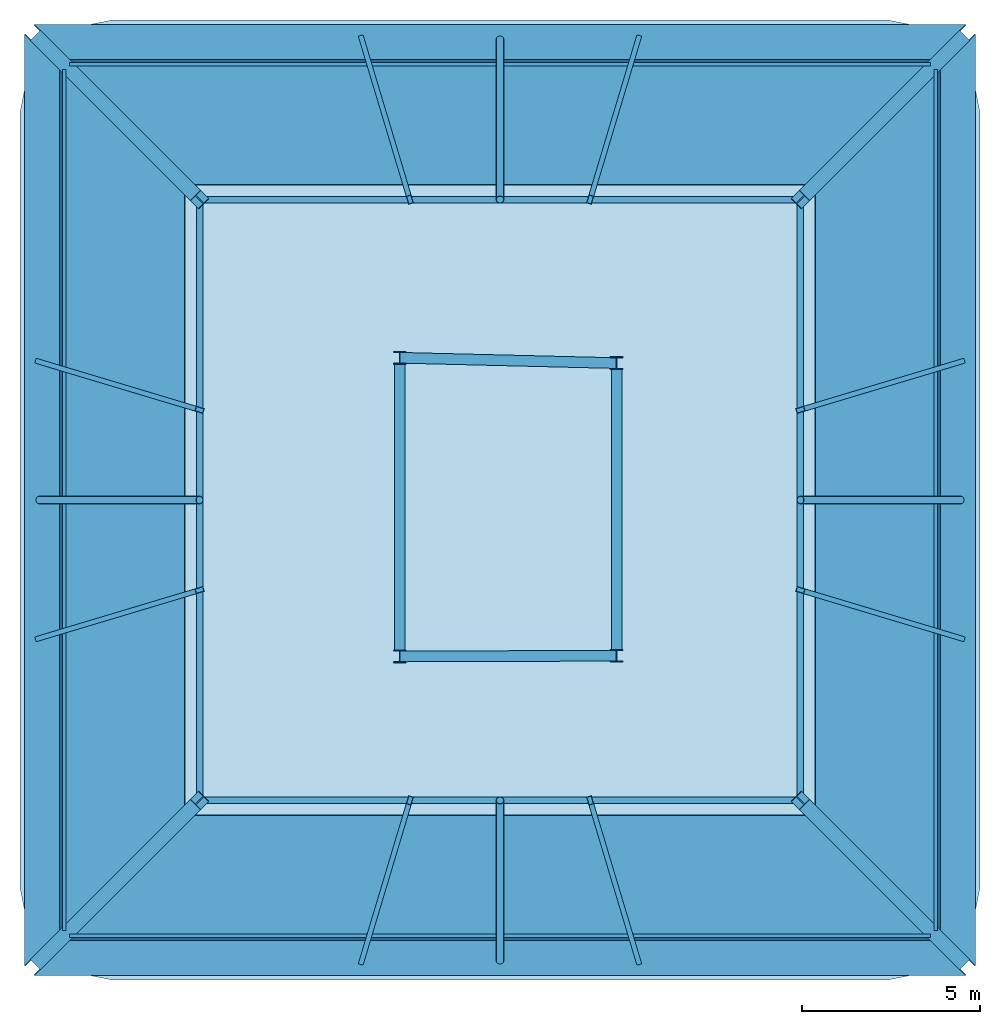
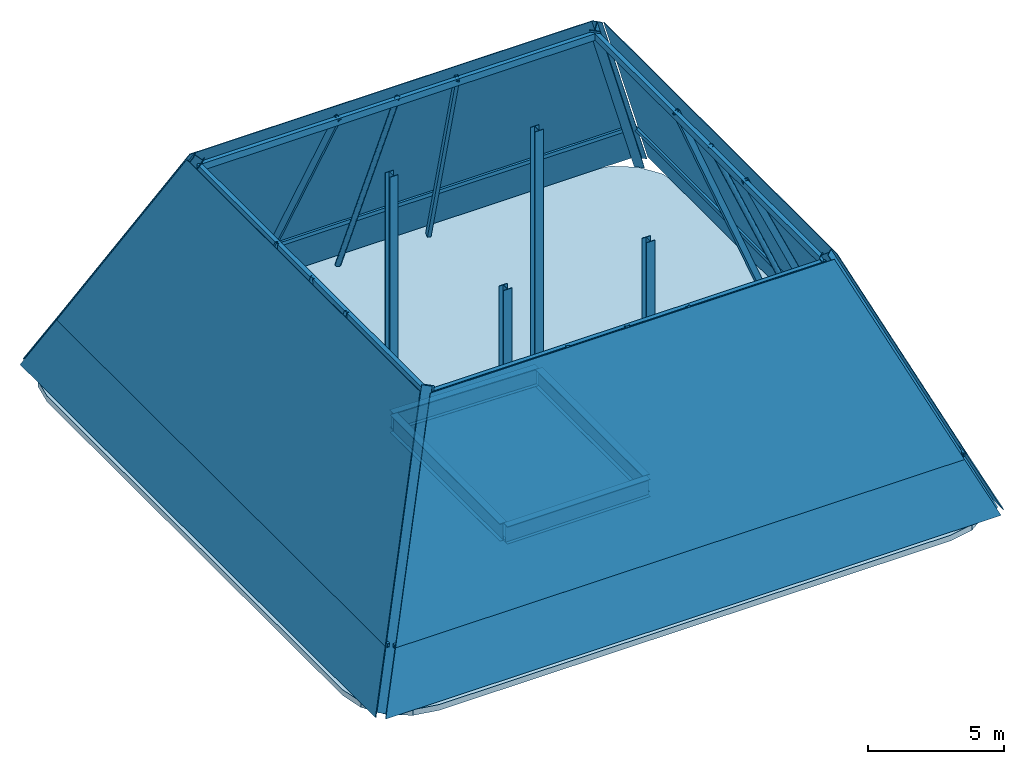
# One storey: 20 members, 8 beams, 8 plates, 4 columns, 1 slab, 4 elements without a shape of their own.
"""IFC4 building model written with IfcOpenShell, lengths in metres."""

from ifc_helpers import new_model, si_unit, direction, frame, origin, origin_2d, place, context, subcontext, project, spatial, polyline, hollow_rectangle, hollow_circle, i_section, outline, extrude, material, layer, layer_set, material_profile, profile_set, type_object, element, aggregate, save


model = new_model("IFC4")

# Units and contexts
model_context = context("Model", 3, precision=1e-05, world=origin(), true_north=direction((0.0, 1.0)))
body_context = subcontext(model_context, "Body", "Model", "MODEL_VIEW")
ifc_project = project(units=[si_unit("LENGTHUNIT", "METRE"), si_unit("AREAUNIT", "SQUARE_METRE"), si_unit("VOLUMEUNIT", "CUBIC_METRE"), si_unit("PLANEANGLEUNIT", "RADIAN"), si_unit("MASSUNIT", "GRAM", prefix="KILO")], contexts=[model_context])

# Site, building, storey
site_placement = place(None, origin())
site = spatial("IfcSite", under=ifc_project, at=site_placement, CompositionType="ELEMENT")
building_placement = place(site_placement, origin())
building = spatial("IfcBuilding", under=site, at=building_placement, Name="Khorvyn Point Tower", CompositionType="ELEMENT")
storey_placement = place(building_placement, frame((0.0, 0.0, 323.64990234375)))
storey = spatial("IfcBuildingStorey", under=building, at=storey_placement, Name="L78", CompositionType="ELEMENT", Elevation=323.64990234375)

# Columns
ifc_material_1 = material(Name="Steel S355", Category="steel")
ifc_material_profile_1 = material_profile(ifc_material_1, i_section(OverallWidth=0.35009765625, OverallDepth=0.35009765625, WebThickness=0.011962890625, FlangeThickness=0.01904296875, at=origin_2d()))
ifc_profile_set_1 = profile_set([ifc_material_profile_1], Name="Steel S355 H350x350x12x19")
column_type = type_object("IfcColumnType", Name="Steel S355 Structural Column H350x350x12x19", PredefinedType="COLUMN", material=ifc_profile_set_1)
for number, where, z_axis, x_axis, name in (
    (1, (-4.52001953125, -4.199951171875, 0.0), (0.0, 0.0, 1.0), (1.0, 0.0, 0.0), "L78 Crown Core Spine Column 1"),
    (2, (1.580078125, -4.179931640625, 0.0), (0.0, 0.0, 1.0), (1.0, 0.0, 0.0), "L78 Crown Core Spine Column 2"),
    (3, (1.580078125, 4.050048828125, 0.0), (0.0, 0.0, 1.0), (1.0, 0.0, 0.0), "L78 Crown Core Spine Column 3"),
    (4, (-4.52001953125, 4.199951171875, 0.0), (0.0, 0.0, 1.0), (1.0, 0.0, 0.0), "L78 Crown Core Spine Column 4"),
):
    element("IfcColumn", number, at=place(storey_placement, frame(where, z_axis=z_axis, x_axis=x_axis)), inside=storey, type_object=column_type, Name=name, PredefinedType="COLUMN", context=body_context, shape_type="SweptSolid", body=[
        extrude(i_section(OverallWidth=0.35009765625, OverallDepth=0.35009765625, WebThickness=0.011962890625, FlangeThickness=0.01904296875, at=origin_2d()), origin(), (0.0, 0.0, 1.0), 10.4501953125),
    ])

# Curtain wall, member
ifc_material_2 = material(Name="Anodised aluminium 6063-T6 and laminated Low-E glass", Category="aluminium")
ifc_layer_1 = layer(ifc_material_2, 0.18994140625)
ifc_layer_set_1 = layer_set([ifc_layer_1], Name="Stick-Built Crystal Atrium Curtain Wall CW-SYS-06")
curtain_wall_type = type_object("IfcCurtainWallType", Name="Stick-Built Crystal Atrium Curtain Wall CW-SYS-06", PredefinedType="NOTDEFINED", material=ifc_layer_set_1)
curtain_wall_1_placement = place(storey_placement, origin())
curtain_wall_1 = element("IfcCurtainWall", 5, at=curtain_wall_1_placement, inside=storey, type_object=curtain_wall_type, Name="L78 Glass-Point Crown Pyramid South Curtain Wall", PredefinedType="NOTDEFINED")
ifc_material_3 = material(Name="Anodised aluminium 6063-T6", Category="aluminium")
ifc_material_profile_2 = material_profile(ifc_material_3, hollow_rectangle(XDim=0.10009765625, YDim=0.159912109375, WallThickness=0.00439453125, at=origin_2d()))
ifc_profile_set_2 = profile_set([ifc_material_profile_2], Name="Anodised aluminium 6063-T6 ALU-TRN-100x160")
member_type_1 = type_object("IfcMemberType", Name="Anodised Aluminium 6063-T6 Transom ALU-TRN-100x160", PredefinedType="USERDEFINED", material=ifc_profile_set_2)
member_1_placement = place(storey_placement, frame((-13.81005859375, -12.050048828125, 2.299072265625), z_axis=(1.0, 0.0, 0.0), x_axis=(0.0, 1.0, 0.0)))
member_1 = element("IfcMember", 6, at=member_1_placement, type_object=member_type_1, Name="L78 Crown Transom SOUTH", ObjectType="TRANSOM", PredefinedType="USERDEFINED", context=body_context, shape_type="SweptSolid", body=[
    extrude(hollow_rectangle(XDim=0.10009765625, YDim=0.159912109375, WallThickness=0.00439453125, at=origin_2d()), origin(), (0.0, 0.0, 1.0), 24.219970703125),
])

curtain_wall_2_placement = place(storey_placement, origin())
curtain_wall_2 = element("IfcCurtainWall", 7, at=curtain_wall_2_placement, inside=storey, type_object=curtain_wall_type, Name="L78 Glass-Point Crown Pyramid East Curtain Wall", PredefinedType="NOTDEFINED")
member_2_placement = place(storey_placement, frame((10.550048828125, -11.909912109375, 2.299072265625), z_axis=(0.0, 1.0, 0.0), x_axis=(-1.0, 0.0, 0.0)))
member_2 = element("IfcMember", 8, at=member_2_placement, type_object=member_type_1, Name="L78 Crown Transom EAST", ObjectType="TRANSOM", PredefinedType="USERDEFINED", context=body_context, shape_type="SweptSolid", body=[
    extrude(hollow_rectangle(XDim=0.10009765625, YDim=0.159912109375, WallThickness=0.00439453125, at=origin_2d()), origin(), (0.0, 0.0, 1.0), 24.219970703125),
])

curtain_wall_3_placement = place(storey_placement, origin())
curtain_wall_3 = element("IfcCurtainWall", 9, at=curtain_wall_3_placement, inside=storey, type_object=curtain_wall_type, Name="L78 Glass-Point Crown Pyramid North Curtain Wall", PredefinedType="NOTDEFINED")
member_3_placement = place(storey_placement, frame((10.409912109375, 12.449951171875, 2.299072265625), z_axis=(-1.0, 0.0, 0.0), x_axis=(0.0, -1.0, 0.0)))
member_3 = element("IfcMember", 10, at=member_3_placement, type_object=member_type_1, Name="L78 Crown Transom NORTH", ObjectType="TRANSOM", PredefinedType="USERDEFINED", context=body_context, shape_type="SweptSolid", body=[
    extrude(hollow_rectangle(XDim=0.10009765625, YDim=0.159912109375, WallThickness=0.00439453125, at=origin_2d()), origin(), (0.0, 0.0, 1.0), 24.219970703125),
])

curtain_wall_4_placement = place(storey_placement, origin())
curtain_wall_4 = element("IfcCurtainWall", 11, at=curtain_wall_4_placement, inside=storey, type_object=curtain_wall_type, Name="L78 Glass-Point Crown Pyramid West Curtain Wall", PredefinedType="NOTDEFINED")
member_4_placement = place(storey_placement, frame((-13.949951171875, 12.31005859375, 2.299072265625), z_axis=(0.0, -1.0, 0.0), x_axis=(1.0, 0.0, 0.0)))
member_4 = element("IfcMember", 12, at=member_4_placement, type_object=member_type_1, Name="L78 Crown Transom WEST", ObjectType="TRANSOM", PredefinedType="USERDEFINED", context=body_context, shape_type="SweptSolid", body=[
    extrude(hollow_rectangle(XDim=0.10009765625, YDim=0.159912109375, WallThickness=0.00439453125, at=origin_2d()), origin(), (0.0, 0.0, 1.0), 24.219970703125),
])

# Beams
ifc_material_profile_3 = material_profile(ifc_material_1, hollow_rectangle(XDim=0.179931640625, YDim=0.300048828125, WallThickness=0.011962890625, at=origin_2d()))
ifc_profile_set_3 = profile_set([ifc_material_profile_3], Name="Steel S355 RHS300x180x12")
beam_type_1 = type_object("IfcBeamType", Name="Steel S355 Beam RHS300x180x12", PredefinedType="BEAM", material=ifc_profile_set_3)
for number, where, z_axis, x_axis, name in (
    (13, (-10.14990234375, -8.25, 10.0400390625), (1.0, 0.0, 0.0), (0.0, 1.0, 0.0), "L78 Crown Top Ring Beam 1"),
    (14, (6.75, -8.25, 10.0400390625), (0.0, 1.0, 0.0), (-1.0, 0.0, 0.0), "L78 Crown Top Ring Beam 2"),
    (15, (6.75, 8.64990234375, 10.0400390625), (-1.0, 0.0, 0.0), (0.0, -1.0, 0.0), "L78 Crown Top Ring Beam 3"),
    (16, (-10.14990234375, 8.64990234375, 10.0400390625), (0.0, -1.0, 0.0), (1.0, 0.0, 0.0), "L78 Crown Top Ring Beam 4"),
):
    element("IfcBeam", number, at=place(storey_placement, frame(where, z_axis=z_axis, x_axis=x_axis)), inside=storey, type_object=beam_type_1, Name=name, PredefinedType="BEAM", context=body_context, shape_type="SweptSolid", body=[
        extrude(hollow_rectangle(XDim=0.179931640625, YDim=0.300048828125, WallThickness=0.011962890625, at=origin_2d()), origin(), (0.0, 0.0, 1.0), 16.89990234375),
    ])

# Members
ifc_material_profile_4 = material_profile(ifc_material_1, i_section(OverallWidth=0.39990234375, OverallDepth=0.39990234375, WebThickness=0.02099609375, FlangeThickness=0.02099609375, at=origin_2d()))
ifc_profile_set_4 = profile_set([ifc_material_profile_4], Name="Steel S355 H400x400x21x21")
member_type_2 = type_object("IfcMemberType", Name="Steel S355 Exoskeleton Structural Post H400x400x21x21", PredefinedType="POST", material=ifc_profile_set_4)
for number, where, z_axis, x_axis, name in (
    (17, (-14.64990234375, -12.75, 0.0), (0.3677833516, 0.3677833516, 0.854090634869), (-0.707106781187, 0.707106781187, 0.0), "L78 CROWN FRAME Corner Hip Post 1"),
    (18, (11.25, -12.75, 0.0), (-0.3677833516, 0.3677833516, 0.854090634869), (-0.707106781187, -0.707106781187, 0.0), "L78 CROWN FRAME Corner Hip Post 2"),
    (19, (11.25, 13.14990234375, 0.0), (-0.3677833516, -0.3677833516, 0.854090634869), (0.707106781187, -0.707106781187, 0.0), "L78 CROWN FRAME Corner Hip Post 3"),
    (20, (-14.64990234375, 13.14990234375, 0.0), (0.3677833516, -0.3677833516, 0.854090634869), (0.707106781187, 0.707106781187, 0.0), "L78 CROWN FRAME Corner Hip Post 4"),
):
    element("IfcMember", number, at=place(storey_placement, frame(where, z_axis=z_axis, x_axis=x_axis)), inside=storey, type_object=member_type_2, Name=name, PredefinedType="POST", context=body_context, shape_type="SweptSolid", body=[
        extrude(i_section(OverallWidth=0.39990234375, OverallDepth=0.39990234375, WebThickness=0.02099609375, FlangeThickness=0.02099609375, at=origin_2d()), origin(), (0.0, 0.0, 1.0), 12.2353515625),
    ])
ifc_material_profile_5 = material_profile(ifc_material_1, hollow_circle(Radius=0.109619140625, WallThickness=0.008056640625, at=origin_2d()))
ifc_profile_set_5 = profile_set([ifc_material_profile_5], Name="Steel S355 CHS219.1x8")
member_type_3 = type_object("IfcMemberType", Name="Steel S355 Truss Rafter CHS219.1x8", PredefinedType="RAFTER", material=ifc_profile_set_5)
for number, where, z_axis, x_axis, name in (
    (21, (-1.699951171875, -12.75, -0.260009765625), (0.0, 0.395503604163, 0.918464424512), (-1.0, 0.0, 0.0), "L78 CROWN FRAME Secondary Rafter 1"),
    (22, (11.25, 0.199951171875, -0.260009765625), (-0.395503604163, 0.0, 0.918464424512), (0.0, -1.0, 0.0), "L78 CROWN FRAME Secondary Rafter 2"),
    (23, (-1.699951171875, 13.14990234375, -0.260009765625), (0.0, -0.395503604163, 0.918464424512), (1.0, 0.0, 0.0), "L78 CROWN FRAME Secondary Rafter 3"),
    (24, (-14.64990234375, 0.199951171875, -0.260009765625), (0.395503604163, 0.0, 0.918464424512), (0.0, 1.0, 0.0), "L78 CROWN FRAME Secondary Rafter 4"),
):
    element("IfcMember", number, at=place(storey_placement, frame(where, z_axis=z_axis, x_axis=x_axis)), inside=storey, type_object=member_type_3, Name=name, PredefinedType="RAFTER", context=body_context, shape_type="SweptSolid", body=[
        extrude(hollow_circle(Radius=0.109619140625, WallThickness=0.008056640625, at=origin_2d()), origin(), (0.0, 0.0, 1.0), 11.3779296875),
    ])
ifc_material_profile_6 = material_profile(ifc_material_1, hollow_rectangle(XDim=0.139892578125, YDim=0.260009765625, WallThickness=0.010009765625, at=origin_2d()))
ifc_profile_set_6 = profile_set([ifc_material_profile_6], Name="Steel S355 RHS260x140x10")
member_type_4 = type_object("IfcMemberType", Name="Steel S355 Truss Rafter RHS260x140x10", PredefinedType="RAFTER", material=ifc_profile_set_6)
for number, where, z_axis, x_axis, name in (
    (25, (-5.5849609375, -12.75, -0.260009765625), (0.117812000469, 0.392749284256, 0.91206816207), (-0.957834866313, 0.287319280374, 0.0), "L78 CROWN FRAME Primary Rafter 1-1"),
    (26, (2.18505859375, -12.75, -0.260009765625), (-0.117833012654, 0.392748298236, 0.912065872271), (-0.957820564104, -0.287366955268, 0.0), "L78 CROWN FRAME Primary Rafter 1-2"),
    (27, (11.25, -3.68505859375, -0.260009765625), (-0.392748298236, 0.117833012654, 0.912065872271), (-0.287366955268, -0.957820564104, 0.0), "L78 CROWN FRAME Primary Rafter 2-1"),
    (28, (11.25, 4.0849609375, -0.260009765625), (-0.392749284256, -0.117812000469, 0.91206816207), (0.287319280374, -0.957834866313, 0.0), "L78 CROWN FRAME Primary Rafter 2-2"),
    (29, (2.18505859375, 13.14990234375, -0.260009765625), (-0.117833012654, -0.392748298236, 0.912065872271), (0.957820564104, -0.287366955268, 0.0), "L78 CROWN FRAME Primary Rafter 3-1"),
    (30, (-5.5849609375, 13.14990234375, -0.260009765625), (0.117812000469, -0.392749284256, 0.91206816207), (0.957834866313, 0.287319280374, 0.0), "L78 CROWN FRAME Primary Rafter 3-2"),
    (31, (-14.64990234375, 4.0849609375, -0.260009765625), (0.392749284256, -0.117812000469, 0.91206816207), (0.287319280374, 0.957834866313, 0.0), "L78 CROWN FRAME Primary Rafter 4-1"),
    (32, (-14.64990234375, -3.68505859375, -0.260009765625), (0.392748298236, 0.117833012654, 0.912065872271), (-0.287366955268, 0.957820564104, 0.0), "L78 CROWN FRAME Primary Rafter 4-2"),
):
    element("IfcMember", number, at=place(storey_placement, frame(where, z_axis=z_axis, x_axis=x_axis)), inside=storey, type_object=member_type_4, Name=name, PredefinedType="RAFTER", context=body_context, shape_type="SweptSolid", body=[
        extrude(hollow_rectangle(XDim=0.139892578125, YDim=0.260009765625, WallThickness=0.010009765625, at=origin_2d()), origin(), (0.0, 0.0, 1.0), 11.457763671875),
    ])

# Beams
ifc_material_4 = material(Name="Steel S450", Category="steel")
ifc_material_profile_7 = material_profile(ifc_material_4, i_section(OverallWidth=0.300048828125, OverallDepth=0.800048828125, WebThickness=0.013916015625, FlangeThickness=0.02587890625, at=origin_2d()))
ifc_profile_set_7 = profile_set([ifc_material_profile_7], Name="Steel S450 H800x300x14x26")
beam_type_2 = type_object("IfcBeamType", Name="Steel S450 Beam H800x300x14x26", PredefinedType="BEAM", material=ifc_profile_set_7)
beam_1_placement = place(storey_placement, frame((-4.52001953125, -4.199951171875, -0.659912109375), z_axis=(0.999994614814, 0.003281820156, 0.0), x_axis=(-0.003281820156, 0.999994614814, 0.0)))
element("IfcBeam", 33, at=beam_1_placement, inside=storey, type_object=beam_type_2, Name="L78 Crown Core Tie Beam S", PredefinedType="BEAM", context=body_context, shape_type="SweptSolid", body=[
    extrude(i_section(OverallWidth=0.300048828125, OverallDepth=0.800048828125, WebThickness=0.013916015625, FlangeThickness=0.02587890625, at=origin_2d()), origin(), (0.0, 0.0, 1.0), 6.10009765625),
])
beam_2_placement = place(storey_placement, frame((-4.52001953125, 4.199951171875, -0.659912109375), z_axis=(0.999698201806, -0.02456634499, 0.0), x_axis=(0.02456634499, 0.999698201806, 0.0)))
element("IfcBeam", 34, at=beam_2_placement, inside=storey, type_object=beam_type_2, Name="L78 Crown Core Tie Beam N", PredefinedType="BEAM", context=body_context, shape_type="SweptSolid", body=[
    extrude(i_section(OverallWidth=0.300048828125, OverallDepth=0.800048828125, WebThickness=0.013916015625, FlangeThickness=0.02587890625, at=origin_2d()), origin(), (0.0, 0.0, 1.0), 6.10205078125),
])
beam_3_placement = place(storey_placement, frame((-4.52001953125, -4.050048828125, -0.659912109375), z_axis=(0.0, 1.0, 0.0), x_axis=(-1.0, 0.0, 0.0)))
element("IfcBeam", 35, at=beam_3_placement, inside=storey, type_object=beam_type_2, Name="L78 Crown Core Tie Beam W", PredefinedType="BEAM", context=body_context, shape_type="SweptSolid", body=[
    extrude(i_section(OverallWidth=0.300048828125, OverallDepth=0.800048828125, WebThickness=0.013916015625, FlangeThickness=0.02587890625, at=origin_2d()), origin(), (0.0, 0.0, 1.0), 8.10009765625),
])
beam_4_placement = place(storey_placement, frame((1.580078125, -4.030029296875, -0.659912109375), z_axis=(0.0, 1.0, 0.0), x_axis=(-1.0, 0.0, 0.0)))
element("IfcBeam", 36, at=beam_4_placement, inside=storey, type_object=beam_type_2, Name="L78 Crown Core Tie Beam E", PredefinedType="BEAM", context=body_context, shape_type="SweptSolid", body=[
    extrude(i_section(OverallWidth=0.300048828125, OverallDepth=0.800048828125, WebThickness=0.013916015625, FlangeThickness=0.02587890625, at=origin_2d()), origin(), (0.0, 0.0, 1.0), 7.929931640625),
])

# Slab
ifc_material_5 = material(Name="Concrete C40/50", Category="concrete")
ifc_layer_2 = layer(ifc_material_5, 0.260009765625)
ifc_layer_set_2 = layer_set([ifc_layer_2], Name="Concrete C40/50 Crown Apex Cap Slab 260")
slab_type = type_object("IfcSlabType", Name="Concrete C40/50 Crown Apex Cap Slab 260", PredefinedType="ROOF", material=ifc_layer_set_2)
slab_placement = place(storey_placement, frame((0.0, 0.0, -0.260009765625)))
element("IfcSlab", 37, at=slab_placement, inside=storey, type_object=slab_type, Name="L78 Main Structural Roof Slab", PredefinedType="ROOF", context=body_context, shape_type="SweptSolid", body=[
    extrude(outline(polyline([(9.199951171875, -13.300048828125), (10.195068359375, -13.10205078125), (11.03857421875, -12.53857421875), (11.60205078125, -11.695068359375), (11.800048828125, -10.699951171875), (11.800048828125, 11.10009765625), (11.60205078125, 12.094970703125), (11.03857421875, 12.9384765625), (10.195068359375, 13.502197265625), (9.199951171875, 13.699951171875), (-12.60009765625, 13.699951171875), (-13.594970703125, 13.502197265625), (-14.4384765625, 12.9384765625), (-15.002197265625, 12.094970703125), (-15.199951171875, 11.10009765625), (-15.199951171875, -10.699951171875), (-15.002197265625, -11.695068359375), (-14.4384765625, -12.53857421875), (-13.594970703125, -13.10205078125), (-12.60009765625, -13.300048828125), (9.199951171875, -13.300048828125)])), origin(), (0.0, 0.0, 1.0), 0.260009765625),
])

# Plate
ifc_material_6 = material(Name="Pale anodised aluminium 5005", Category="aluminium")
ifc_layer_3 = layer(ifc_material_6, 0.0400390625)
ifc_layer_set_3 = layer_set([ifc_layer_3], Name="Pale Champagne Aluminium Insulated Spandrel Panel CW-SP40")
plate_type_1 = type_object("IfcPlateType", Name="Pale Champagne Aluminium Insulated Spandrel Panel CW-SP40", PredefinedType="SHEET", material=ifc_layer_set_3)
plate_1_placement = place(storey_placement, frame((-14.800048828125, -13.179931640625, 0.0400390625), z_axis=(0.0, -0.915909534935, 0.401384757826), x_axis=(1.0, 0.0, 0.0)))
plate_1 = element("IfcPlate", 38, at=plate_1_placement, type_object=plate_type_1, Name="L78 Crown Spandrel Skirt SOUTH", PredefinedType="SHEET", context=body_context, shape_type="SweptSolid", body=[
    extrude(outline(polyline([(0.0, 0.0), (26.199951171875, 0.0), (25.2099609375, 2.466437040951799), (0.989990234375, 2.466437040951799), (0.0, 0.0)])), origin(), (0.0, 0.0, -1.0), 0.0400390625),
])

plate_2_placement = place(storey_placement, frame((11.679931640625, -12.89990234375, 0.0400390625), z_axis=(0.915909534935, 0.0, 0.401384757826), x_axis=(0.0, 1.0, 0.0)))
plate_2 = element("IfcPlate", 39, at=plate_2_placement, type_object=plate_type_1, Name="L78 Crown Spandrel Skirt EAST", PredefinedType="SHEET", context=body_context, shape_type="SweptSolid", body=[
    extrude(outline(polyline([(0.0, 0.0), (26.199951171875, 0.0), (25.2099609375, 2.466437040951799), (0.989990234375, 2.466437040951799), (0.0, 0.0)])), origin(), (0.0, 0.0, -1.0), 0.0400390625),
])

plate_3_placement = place(storey_placement, frame((11.39990234375, 13.580078125, 0.0400390625), z_axis=(0.0, 0.915909534935, 0.401384757826), x_axis=(-1.0, 0.0, 0.0)))
plate_3 = element("IfcPlate", 40, at=plate_3_placement, type_object=plate_type_1, Name="L78 Crown Spandrel Skirt NORTH", PredefinedType="SHEET", context=body_context, shape_type="SweptSolid", body=[
    extrude(outline(polyline([(0.0, 0.0), (26.199951171875, 0.0), (25.2099609375, 2.466437040951799), (0.989990234375, 2.466437040951799), (0.0, 0.0)])), origin(), (0.0, 0.0, -1.0), 0.0400390625),
])

plate_4_placement = place(storey_placement, frame((-15.080078125, 13.300048828125, 0.0400390625), z_axis=(-0.915909534935, 0.0, 0.401384757826), x_axis=(0.0, -1.0, 0.0)))
plate_4 = element("IfcPlate", 41, at=plate_4_placement, type_object=plate_type_1, Name="L78 Crown Spandrel Skirt WEST", PredefinedType="SHEET", context=body_context, shape_type="SweptSolid", body=[
    extrude(outline(polyline([(0.0, 0.0), (26.199951171875, 0.0), (25.2099609375, 2.466437040951799), (0.989990234375, 2.466437040951799), (0.0, 0.0)])), origin(), (0.0, 0.0, -1.0), 0.0400390625),
])

ifc_material_7 = material(Name="Laminated Low-E insulated glass", Category="glass")
ifc_layer_4 = layer(ifc_material_7, 0.028076171875)
ifc_layer_set_4 = layer_set([ifc_layer_4], Name="Tempered Low-E Vision Glazing Panel CW-GL28")
plate_type_2 = type_object("IfcPlateType", Name="Tempered Low-E Vision Glazing Panel CW-GL28", PredefinedType="CURTAIN_PANEL", material=ifc_layer_set_4)
plate_5_placement = place(storey_placement, frame((-13.81005859375, -12.18994140625, 2.299072265625), z_axis=(0.0, -0.91775337629, 0.397150777802), x_axis=(1.0, 0.0, 0.0)))
plate_5 = element("IfcPlate", 42, at=plate_5_placement, type_object=plate_type_2, Name="L78 Crown Glass-Point Facet SOUTH", PredefinedType="CURTAIN_PANEL", context=body_context, shape_type="SweptSolid", body=[
    extrude(outline(polyline([(0.0, 0.0), (24.219970703125, 0.0), (20.7099609375, 8.837977820540596), (3.510009765625, 8.837977820540596), (0.0, 0.0)])), origin(), (0.0, 0.0, -1.0), 0.028076171875),
])

aggregate(curtain_wall_1, [plate_1, member_1, plate_5])

plate_6_placement = place(storey_placement, frame((10.68994140625, -11.909912109375, 2.299072265625), z_axis=(0.91775337629, 0.0, 0.397150777802), x_axis=(0.0, 1.0, 0.0)))
plate_6 = element("IfcPlate", 43, at=plate_6_placement, type_object=plate_type_2, Name="L78 Crown Glass-Point Facet EAST", PredefinedType="CURTAIN_PANEL", context=body_context, shape_type="SweptSolid", body=[
    extrude(outline(polyline([(0.0, 0.0), (24.219970703125, 0.0), (20.7099609375, 8.837977820540596), (3.510009765625, 8.837977820540596), (0.0, 0.0)])), origin(), (0.0, 0.0, -1.0), 0.028076171875),
])

aggregate(curtain_wall_2, [plate_2, member_2, plate_6])

plate_7_placement = place(storey_placement, frame((10.409912109375, 12.590087890625, 2.299072265625), z_axis=(0.0, 0.91775337629, 0.397150777802), x_axis=(-1.0, 0.0, 0.0)))
plate_7 = element("IfcPlate", 44, at=plate_7_placement, type_object=plate_type_2, Name="L78 Crown Glass-Point Facet NORTH", PredefinedType="CURTAIN_PANEL", context=body_context, shape_type="SweptSolid", body=[
    extrude(outline(polyline([(0.0, 0.0), (24.219970703125, 0.0), (20.7099609375, 8.837977820540596), (3.510009765625, 8.837977820540596), (0.0, 0.0)])), origin(), (0.0, 0.0, -1.0), 0.028076171875),
])

aggregate(curtain_wall_3, [plate_3, member_3, plate_7])

plate_8_placement = place(storey_placement, frame((-14.090087890625, 12.31005859375, 2.299072265625), z_axis=(-0.91775337629, 0.0, 0.397150777802), x_axis=(0.0, -1.0, 0.0)))
plate_8 = element("IfcPlate", 45, at=plate_8_placement, type_object=plate_type_2, Name="L78 Crown Glass-Point Facet WEST", PredefinedType="CURTAIN_PANEL", context=body_context, shape_type="SweptSolid", body=[
    extrude(outline(polyline([(0.0, 0.0), (24.219970703125, 0.0), (20.7099609375, 8.837977820540596), (3.510009765625, 8.837977820540596), (0.0, 0.0)])), origin(), (0.0, 0.0, -1.0), 0.028076171875),
])

aggregate(curtain_wall_4, [plate_4, member_4, plate_8])

save(model, "model.ifc")
